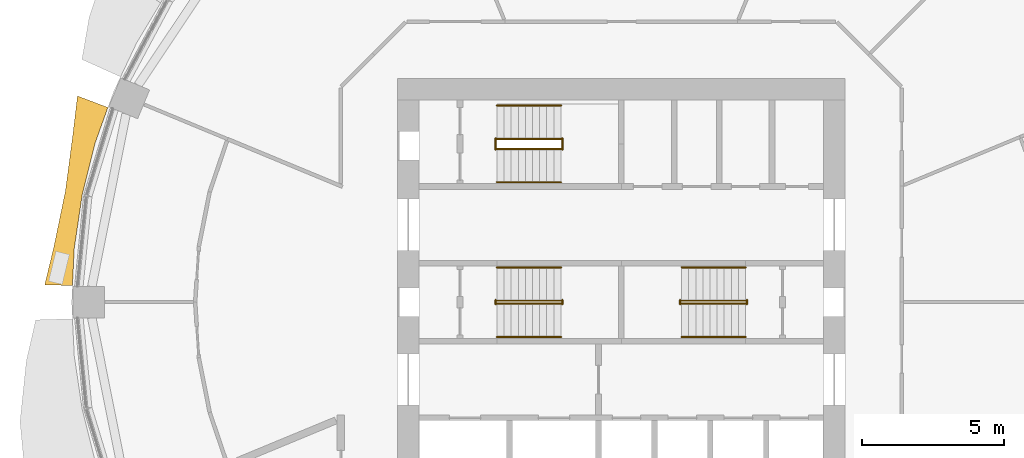
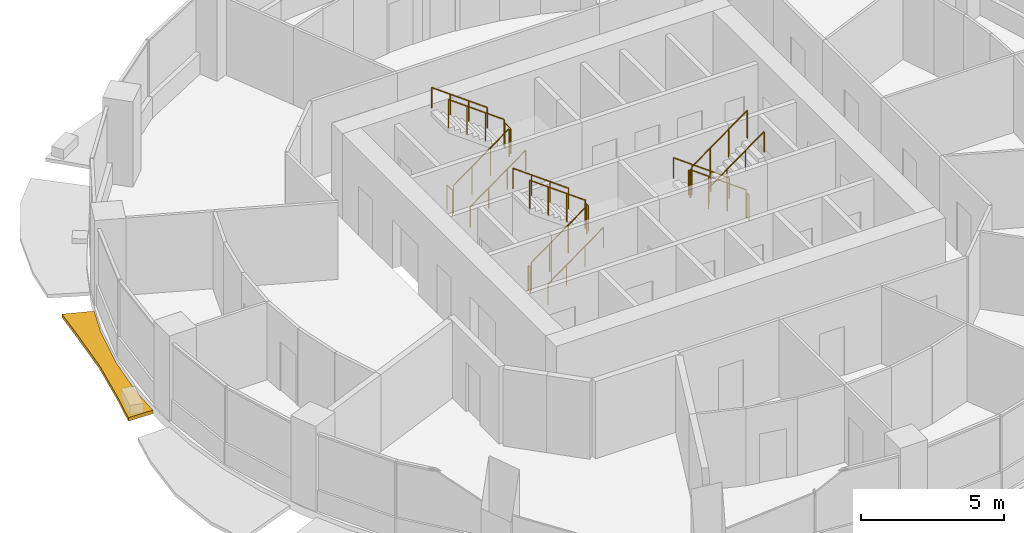
# One storey, part 13 of 15: 18 railings, 1 shading device.
"""IFC4 building model written with IfcOpenShell, lengths in metres."""

from ifc_helpers import new_model, si_unit, direction, frame, origin, origin_2d, place, context, subcontext, project, spatial, polyline, circle, outline, extrude, material, type_object, element, save


model = new_model("IFC4")

# Units and contexts
model_context = context("Model", 3, precision=1e-05, world=origin(), true_north=direction((0.0, 1.0)))
body_context = subcontext(model_context, "Body", "Model", "MODEL_VIEW")
ifc_project = project(units=[si_unit("LENGTHUNIT", "METRE"), si_unit("AREAUNIT", "SQUARE_METRE"), si_unit("VOLUMEUNIT", "CUBIC_METRE"), si_unit("PLANEANGLEUNIT", "RADIAN"), si_unit("MASSUNIT", "GRAM", prefix="KILO")], contexts=[model_context])

# Site, building, storey
site_placement = place(None, origin())
site = spatial("IfcSite", under=ifc_project, at=site_placement, CompositionType="ELEMENT")
building_placement = place(site_placement, origin())
building = spatial("IfcBuilding", under=site, at=building_placement, Name="Polderwave Tower", CompositionType="ELEMENT")
storey_placement = place(building_placement, frame((0.0, 0.0, 87.35009765625)))
storey = spatial("IfcBuildingStorey", under=building, at=storey_placement, Name="L22", CompositionType="ELEMENT", Elevation=87.35009765625)

# Railings
ifc_material_1 = material(Name="Stainless steel", Category="steel")
railing_type_1 = type_object("IfcRailingType", Name="Stair guard 1100", PredefinedType="GUARDRAIL", material=ifc_material_1)
railing_1_placement = place(storey_placement, frame((-4.3740234375, -0.051025390625, 0.062255859375)))
element("IfcRailing", 1, at=railing_1_placement, inside=storey, type_object=railing_type_1, Name="L22 ST-A stair guard 1", PredefinedType="GUARDRAIL", context=body_context, shape_type="SweptSolid", body=[
    extrude(circle(Radius=0.02392578125, at=origin_2d()), frame((0.0, 0.0, 1.1962890625), z_axis=(0.807673635365, 0.0, 0.58962979804), x_axis=(0.0, 1.0, 0.0)), (0.0, 0.0, 1.0), 2.785888671875),
    extrude(circle(Radius=0.02392578125, at=origin_2d()), origin(), (0.0, 0.0, 1.0), 1.172119140625),
    extrude(circle(Radius=0.02392578125, at=origin_2d()), frame((0.75, 0.0, 0.547607421875)), (0.0, 0.0, 1.0), 1.172119140625),
    extrude(circle(Radius=0.02392578125, at=origin_2d()), frame((1.5, 0.0, 1.094970703125)), (0.0, 0.0, 1.0), 1.172119140625),
    extrude(circle(Radius=0.02392578125, at=origin_2d()), frame((2.25, 0.0, 1.642578125)), (0.0, 0.0, 1.0), 1.172119140625),
])
railing_2_placement = place(storey_placement, frame((-2.073974609375, -0.074951171875, 1.824951171875)))
element("IfcRailing", 2, at=railing_2_placement, inside=storey, type_object=railing_type_1, Name="L22 ST-A stair guard 2", PredefinedType="GUARDRAIL", context=body_context, shape_type="SweptSolid", body=[
    extrude(circle(Radius=0.02392578125, at=origin_2d()), frame((0.0, 0.0, 1.076171875), z_axis=(0.0, 1.0, 0.0), x_axis=(-1.0, 0.0, 0.0)), (0.0, 0.0, 1.0), 0.14990234375),
    extrude(circle(Radius=0.02099609375, at=origin_2d()), origin(), (0.0, 0.0, 1.0), 1.052001953125),
    extrude(circle(Radius=0.02099609375, at=origin_2d()), frame((0.0, 0.14990234375, 0.0)), (0.0, 0.0, 1.0), 1.052001953125),
])
railing_3_placement = place(storey_placement, frame((-2.1240234375, 0.051025390625, 1.88720703125)))
element("IfcRailing", 3, at=railing_3_placement, inside=storey, type_object=railing_type_1, Name="L22 ST-A stair guard 3", PredefinedType="GUARDRAIL", context=body_context, shape_type="SweptSolid", body=[
    extrude(circle(Radius=0.02392578125, at=origin_2d()), frame((0.0, 0.0, 1.1962890625), z_axis=(-0.807673635365, 0.0, 0.58962979804), x_axis=(0.0, -1.0, 0.0)), (0.0, 0.0, 1.0), 2.785888671875),
    extrude(circle(Radius=0.02392578125, at=origin_2d()), origin(), (0.0, 0.0, 1.0), 1.172119140625),
    extrude(circle(Radius=0.02392578125, at=origin_2d()), frame((-0.75, 0.0, 0.547607421875)), (0.0, 0.0, 1.0), 1.172119140625),
    extrude(circle(Radius=0.02392578125, at=origin_2d()), frame((-1.5, 0.0, 1.094970703125)), (0.0, 0.0, 1.0), 1.172119140625),
    extrude(circle(Radius=0.02392578125, at=origin_2d()), frame((-2.25, 0.0, 1.642578125)), (0.0, 0.0, 1.0), 1.172119140625),
])
railing_4_placement = place(storey_placement, frame((-4.424072265625, -0.074951171875, 0.0)))
element("IfcRailing", 4, at=railing_4_placement, inside=storey, type_object=railing_type_1, Name="L22 ST-A stair guard 4", PredefinedType="GUARDRAIL", context=body_context, shape_type="SweptSolid", body=[
    extrude(circle(Radius=0.02392578125, at=origin_2d()), frame((0.0, 0.0, 1.076171875), z_axis=(0.0, 1.0, 0.0), x_axis=(-1.0, 0.0, 0.0)), (0.0, 0.0, 1.0), 0.14990234375),
    extrude(circle(Radius=0.02099609375, at=origin_2d()), origin(), (0.0, 0.0, 1.0), 1.052001953125),
    extrude(circle(Radius=0.02099609375, at=origin_2d()), frame((0.0, 0.14990234375, 0.0)), (0.0, 0.0, 1.0), 1.052001953125),
])
railing_5_placement = place(storey_placement, frame((4.3740234375, 0.051025390625, 0.062255859375)))
element("IfcRailing", 5, at=railing_5_placement, inside=storey, type_object=railing_type_1, Name="L22 ST-B stair guard 1", PredefinedType="GUARDRAIL", context=body_context, shape_type="SweptSolid", body=[
    extrude(circle(Radius=0.02392578125, at=origin_2d()), frame((0.0, 0.0, 1.1962890625), z_axis=(-0.807673635365, 0.0, 0.58962979804), x_axis=(0.0, -1.0, 0.0)), (0.0, 0.0, 1.0), 2.785888671875),
    extrude(circle(Radius=0.02392578125, at=origin_2d()), origin(), (0.0, 0.0, 1.0), 1.172119140625),
    extrude(circle(Radius=0.02392578125, at=origin_2d()), frame((-0.75, 0.0, 0.547607421875)), (0.0, 0.0, 1.0), 1.172119140625),
    extrude(circle(Radius=0.02392578125, at=origin_2d()), frame((-1.5, 0.0, 1.094970703125)), (0.0, 0.0, 1.0), 1.172119140625),
    extrude(circle(Radius=0.02392578125, at=origin_2d()), frame((-2.25, 0.0, 1.642578125)), (0.0, 0.0, 1.0), 1.172119140625),
])
railing_6_placement = place(storey_placement, frame((2.073974609375, 0.074951171875, 1.824951171875)))
element("IfcRailing", 6, at=railing_6_placement, inside=storey, type_object=railing_type_1, Name="L22 ST-B stair guard 2", PredefinedType="GUARDRAIL", context=body_context, shape_type="SweptSolid", body=[
    extrude(circle(Radius=0.02392578125, at=origin_2d()), frame((0.0, 0.0, 1.076171875), z_axis=(0.0, -1.0, 0.0), x_axis=(1.0, 0.0, 0.0)), (0.0, 0.0, 1.0), 0.14990234375),
    extrude(circle(Radius=0.02099609375, at=origin_2d()), origin(), (0.0, 0.0, 1.0), 1.052001953125),
    extrude(circle(Radius=0.02099609375, at=origin_2d()), frame((0.0, -0.14990234375, 0.0)), (0.0, 0.0, 1.0), 1.052001953125),
])
railing_7_placement = place(storey_placement, frame((2.1240234375, -0.051025390625, 1.88720703125)))
element("IfcRailing", 7, at=railing_7_placement, inside=storey, type_object=railing_type_1, Name="L22 ST-B stair guard 3", PredefinedType="GUARDRAIL", context=body_context, shape_type="SweptSolid", body=[
    extrude(circle(Radius=0.02392578125, at=origin_2d()), frame((0.0, 0.0, 1.1962890625), z_axis=(0.807673635365, 0.0, 0.58962979804), x_axis=(0.0, 1.0, 0.0)), (0.0, 0.0, 1.0), 2.785888671875),
    extrude(circle(Radius=0.02392578125, at=origin_2d()), origin(), (0.0, 0.0, 1.0), 1.172119140625),
    extrude(circle(Radius=0.02392578125, at=origin_2d()), frame((0.75, 0.0, 0.547607421875)), (0.0, 0.0, 1.0), 1.172119140625),
    extrude(circle(Radius=0.02392578125, at=origin_2d()), frame((1.5, 0.0, 1.094970703125)), (0.0, 0.0, 1.0), 1.172119140625),
    extrude(circle(Radius=0.02392578125, at=origin_2d()), frame((2.25, 0.0, 1.642578125)), (0.0, 0.0, 1.0), 1.172119140625),
])
railing_8_placement = place(storey_placement, frame((4.424072265625, 0.074951171875, 0.0)))
element("IfcRailing", 8, at=railing_8_placement, inside=storey, type_object=railing_type_1, Name="L22 ST-B stair guard 4", PredefinedType="GUARDRAIL", context=body_context, shape_type="SweptSolid", body=[
    extrude(circle(Radius=0.02392578125, at=origin_2d()), frame((0.0, 0.0, 1.076171875), z_axis=(0.0, -1.0, 0.0), x_axis=(1.0, 0.0, 0.0)), (0.0, 0.0, 1.0), 0.14990234375),
    extrude(circle(Radius=0.02099609375, at=origin_2d()), origin(), (0.0, 0.0, 1.0), 1.052001953125),
    extrude(circle(Radius=0.02099609375, at=origin_2d()), frame((0.0, -0.14990234375, 0.0)), (0.0, 0.0, 1.0), 1.052001953125),
])
railing_9_placement = place(storey_placement, frame((-4.3740234375, 5.39794921875, 0.062255859375)))
element("IfcRailing", 9, at=railing_9_placement, inside=storey, type_object=railing_type_1, Name="L22 ST-C stair guard 1", PredefinedType="GUARDRAIL", context=body_context, shape_type="SweptSolid", body=[
    extrude(circle(Radius=0.02392578125, at=origin_2d()), frame((0.0, 0.0, 1.1962890625), z_axis=(0.807673635365, 0.0, 0.58962979804), x_axis=(0.0, 1.0, 0.0)), (0.0, 0.0, 1.0), 2.785888671875),
    extrude(circle(Radius=0.02392578125, at=origin_2d()), origin(), (0.0, 0.0, 1.0), 1.172119140625),
    extrude(circle(Radius=0.02392578125, at=origin_2d()), frame((0.75, 0.0, 0.547607421875)), (0.0, 0.0, 1.0), 1.172119140625),
    extrude(circle(Radius=0.02392578125, at=origin_2d()), frame((1.5, 0.0, 1.094970703125)), (0.0, 0.0, 1.0), 1.172119140625),
    extrude(circle(Radius=0.02392578125, at=origin_2d()), frame((2.25, 0.0, 1.642578125)), (0.0, 0.0, 1.0), 1.172119140625),
])
railing_10_placement = place(storey_placement, frame((-2.073974609375, 5.3740234375, 1.824951171875)))
element("IfcRailing", 10, at=railing_10_placement, inside=storey, type_object=railing_type_1, Name="L22 ST-C stair guard 2", PredefinedType="GUARDRAIL", context=body_context, shape_type="SweptSolid", body=[
    extrude(circle(Radius=0.02392578125, at=origin_2d()), frame((0.0, 0.0, 1.076171875), z_axis=(0.0, 1.0, 0.0), x_axis=(-1.0, 0.0, 0.0)), (0.0, 0.0, 1.0), 0.39990234375),
    extrude(circle(Radius=0.02099609375, at=origin_2d()), origin(), (0.0, 0.0, 1.0), 1.052001953125),
    extrude(circle(Radius=0.02099609375, at=origin_2d()), frame((0.0, 0.39990234375, 0.0)), (0.0, 0.0, 1.0), 1.052001953125),
])
railing_11_placement = place(storey_placement, frame((-2.1240234375, 5.75, 1.88720703125)))
element("IfcRailing", 11, at=railing_11_placement, inside=storey, type_object=railing_type_1, Name="L22 ST-C stair guard 3", PredefinedType="GUARDRAIL", context=body_context, shape_type="SweptSolid", body=[
    extrude(circle(Radius=0.02392578125, at=origin_2d()), frame((0.0, 0.0, 1.1962890625), z_axis=(-0.807673635365, 0.0, 0.58962979804), x_axis=(0.0, -1.0, 0.0)), (0.0, 0.0, 1.0), 2.785888671875),
    extrude(circle(Radius=0.02392578125, at=origin_2d()), origin(), (0.0, 0.0, 1.0), 1.172119140625),
    extrude(circle(Radius=0.02392578125, at=origin_2d()), frame((-0.75, 0.0, 0.547607421875)), (0.0, 0.0, 1.0), 1.172119140625),
    extrude(circle(Radius=0.02392578125, at=origin_2d()), frame((-1.5, 0.0, 1.094970703125)), (0.0, 0.0, 1.0), 1.172119140625),
    extrude(circle(Radius=0.02392578125, at=origin_2d()), frame((-2.25, 0.0, 1.642578125)), (0.0, 0.0, 1.0), 1.172119140625),
])
railing_12_placement = place(storey_placement, frame((-4.424072265625, 5.3740234375, 0.0)))
element("IfcRailing", 12, at=railing_12_placement, inside=storey, type_object=railing_type_1, Name="L22 ST-C stair guard 4", PredefinedType="GUARDRAIL", context=body_context, shape_type="SweptSolid", body=[
    extrude(circle(Radius=0.02392578125, at=origin_2d()), frame((0.0, 0.0, 1.076171875), z_axis=(0.0, 1.0, 0.0), x_axis=(-1.0, 0.0, 0.0)), (0.0, 0.0, 1.0), 0.39990234375),
    extrude(circle(Radius=0.02099609375, at=origin_2d()), origin(), (0.0, 0.0, 1.0), 1.052001953125),
    extrude(circle(Radius=0.02099609375, at=origin_2d()), frame((0.0, 0.39990234375, 0.0)), (0.0, 0.0, 1.0), 1.052001953125),
])
railing_type_2 = type_object("IfcRailingType", Name="Stair handrail 900", PredefinedType="HANDRAIL", material=ifc_material_1)
railing_13_placement = place(storey_placement, frame((-4.3740234375, -1.22509765625, 0.182373046875)))
element("IfcRailing", 13, at=railing_13_placement, inside=storey, type_object=railing_type_2, Name="L22 ST-A stair handrail 1", PredefinedType="HANDRAIL", context=body_context, shape_type="SweptSolid", body=[
    extrude(circle(Radius=0.02392578125, at=origin_2d()), frame((0.0, 0.0, 0.8759765625), z_axis=(0.807673635365, 0.0, 0.58962979804), x_axis=(0.0, 1.0, 0.0)), (0.0, 0.0, 1.0), 2.785888671875),
    extrude(circle(Radius=0.02099609375, at=origin_2d()), origin(), (0.0, 0.0, 1.0), 0.851806640625),
    extrude(circle(Radius=0.02099609375, at=origin_2d()), frame((0.75, 0.0, 0.547607421875)), (0.0, 0.0, 1.0), 0.851806640625),
    extrude(circle(Radius=0.02099609375, at=origin_2d()), frame((1.5, 0.0, 1.094970703125)), (0.0, 0.0, 1.0), 0.851806640625),
    extrude(circle(Radius=0.02099609375, at=origin_2d()), frame((2.25, 0.0, 1.642578125)), (0.0, 0.0, 1.0), 0.851806640625),
])
for number, where, name in (
    (14, (-2.1240234375, 1.22509765625, 2.00732421875), "L22 ST-A stair handrail 2"),
    (15, (4.3740234375, 1.22509765625, 0.182373046875), "L22 ST-B stair handrail 1"),
):
    element("IfcRailing", number, at=place(storey_placement, frame(where)), inside=storey, type_object=railing_type_2, Name=name, PredefinedType="HANDRAIL", context=body_context, shape_type="SweptSolid", body=[
        extrude(circle(Radius=0.02392578125, at=origin_2d()), frame((0.0, 0.0, 0.8759765625), z_axis=(-0.807673635365, 0.0, 0.58962979804), x_axis=(0.0, -1.0, 0.0)), (0.0, 0.0, 1.0), 2.785888671875),
        extrude(circle(Radius=0.02099609375, at=origin_2d()), origin(), (0.0, 0.0, 1.0), 0.851806640625),
        extrude(circle(Radius=0.02099609375, at=origin_2d()), frame((-0.75, 0.0, 0.547607421875)), (0.0, 0.0, 1.0), 0.851806640625),
        extrude(circle(Radius=0.02099609375, at=origin_2d()), frame((-1.5, 0.0, 1.094970703125)), (0.0, 0.0, 1.0), 0.851806640625),
        extrude(circle(Radius=0.02099609375, at=origin_2d()), frame((-2.25, 0.0, 1.642578125)), (0.0, 0.0, 1.0), 0.851806640625),
    ])
for number, where, name in (
    (16, (2.1240234375, -1.22509765625, 2.00732421875), "L22 ST-B stair handrail 2"),
    (17, (-4.3740234375, 4.22412109375, 0.182373046875), "L22 ST-C stair handrail 1"),
):
    element("IfcRailing", number, at=place(storey_placement, frame(where)), inside=storey, type_object=railing_type_2, Name=name, PredefinedType="HANDRAIL", context=body_context, shape_type="SweptSolid", body=[
        extrude(circle(Radius=0.02392578125, at=origin_2d()), frame((0.0, 0.0, 0.8759765625), z_axis=(0.807673635365, 0.0, 0.58962979804), x_axis=(0.0, 1.0, 0.0)), (0.0, 0.0, 1.0), 2.785888671875),
        extrude(circle(Radius=0.02099609375, at=origin_2d()), origin(), (0.0, 0.0, 1.0), 0.851806640625),
        extrude(circle(Radius=0.02099609375, at=origin_2d()), frame((0.75, 0.0, 0.547607421875)), (0.0, 0.0, 1.0), 0.851806640625),
        extrude(circle(Radius=0.02099609375, at=origin_2d()), frame((1.5, 0.0, 1.094970703125)), (0.0, 0.0, 1.0), 0.851806640625),
        extrude(circle(Radius=0.02099609375, at=origin_2d()), frame((2.25, 0.0, 1.642578125)), (0.0, 0.0, 1.0), 0.851806640625),
    ])
railing_14_placement = place(storey_placement, frame((-2.1240234375, 6.924072265625, 2.00732421875)))
element("IfcRailing", 18, at=railing_14_placement, inside=storey, type_object=railing_type_2, Name="L22 ST-C stair handrail 2", PredefinedType="HANDRAIL", context=body_context, shape_type="SweptSolid", body=[
    extrude(circle(Radius=0.02392578125, at=origin_2d()), frame((0.0, 0.0, 0.8759765625), z_axis=(-0.807673635365, 0.0, 0.58962979804), x_axis=(0.0, -1.0, 0.0)), (0.0, 0.0, 1.0), 2.785888671875),
    extrude(circle(Radius=0.02099609375, at=origin_2d()), origin(), (0.0, 0.0, 1.0), 0.851806640625),
    extrude(circle(Radius=0.02099609375, at=origin_2d()), frame((-0.75, 0.0, 0.547607421875)), (0.0, 0.0, 1.0), 0.851806640625),
    extrude(circle(Radius=0.02099609375, at=origin_2d()), frame((-1.5, 0.0, 1.094970703125)), (0.0, 0.0, 1.0), 0.851806640625),
    extrude(circle(Radius=0.02099609375, at=origin_2d()), frame((-2.25, 0.0, 1.642578125)), (0.0, 0.0, 1.0), 0.851806640625),
])

# Shading device
ifc_material_2 = material(Name="Terracotta", Category="masonry")
shading_device_type = type_object("IfcShadingDeviceType", Name="Terracotta sunshade band", PredefinedType="USERDEFINED", material=ifc_material_2)
shading_device_placement = place(storey_placement, frame((0.0, 0.0, -0.35009765625)))
element("IfcShadingDevice", 19, at=shading_device_placement, inside=storey, type_object=shading_device_type, Name="Sunshade band L22 8", ObjectType="SUNSHADE", PredefinedType="USERDEFINED", context=body_context, shape_type="SweptSolid", body=[
    extrude(outline(polyline([(-18.073974609375, 6.8544921875), (-18.516845703125, 5.616943359375), (-18.978271484375, 3.77490234375), (-19.2568359375, 1.896484375), (-19.3212890625, 0.583984375), (-20.29541015625, 0.61328125), (-19.9697265625, 1.966796875), (-19.57177734375, 3.89306640625), (-19.310302734375, 5.857666015625), (-19.144775390625, 7.260498046875), (-18.073974609375, 6.8544921875)])), origin(), (0.0, 0.0, 1.0), 0.14990234375),
])

save(model, "model.ifc")
